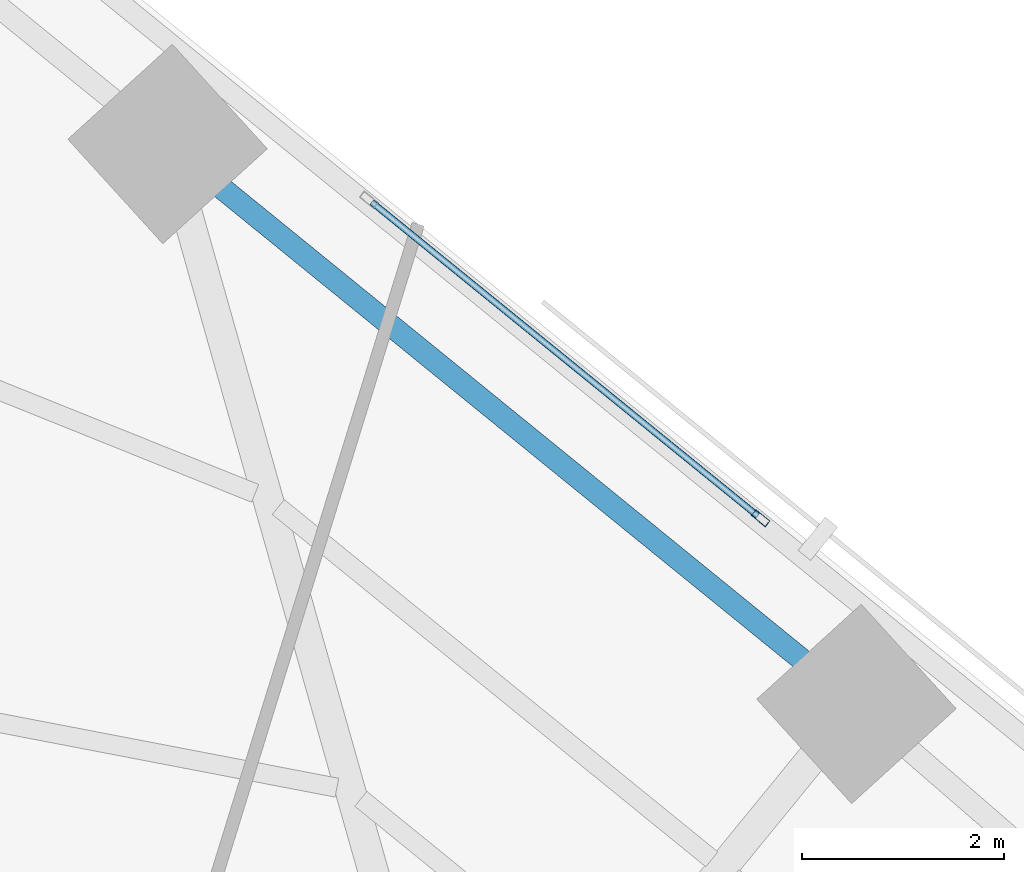
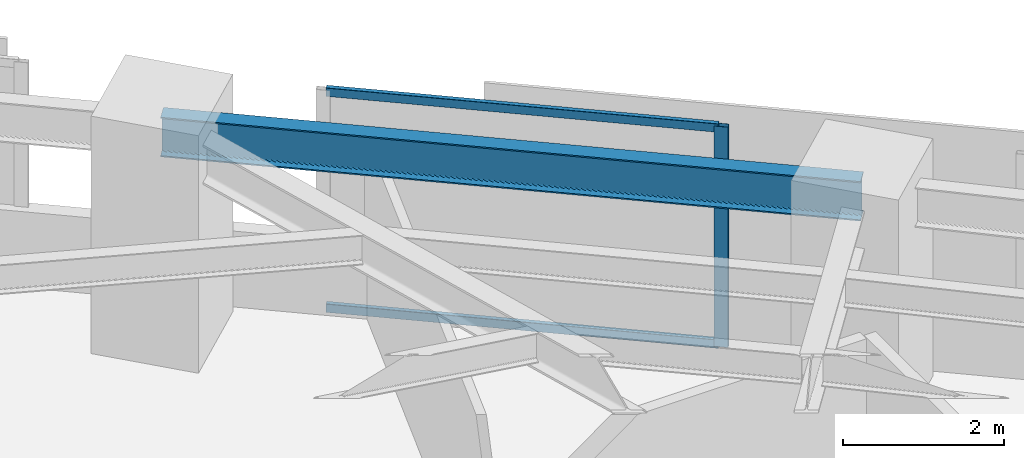
# One storey, part 11 of 18: 3 members, 1 beam, 1 element without a shape of its own.
"""IFC4 building model written with IfcOpenShell, lengths in metres."""

from ifc_helpers import new_model, si_unit, direction, frame, origin, origin_2d, place, context, subcontext, project, spatial, hollow_rectangle, i_section, extrude, material, material_profile, profile_set, type_object, element, aggregate, save


model = new_model("IFC4")

# Units and contexts
model_context = context("Model", 3, precision=1e-05, world=origin(), true_north=direction((0.0, 1.0)))
body_context = subcontext(model_context, "Body", "Model", "MODEL_VIEW")
ifc_project = project(units=[si_unit("LENGTHUNIT", "METRE"), si_unit("AREAUNIT", "SQUARE_METRE"), si_unit("VOLUMEUNIT", "CUBIC_METRE"), si_unit("PLANEANGLEUNIT", "RADIAN"), si_unit("MASSUNIT", "GRAM", prefix="KILO")], contexts=[model_context])

# Site, building, storey
site_placement = place(None, origin())
site = spatial("IfcSite", under=ifc_project, at=site_placement, CompositionType="ELEMENT")
building_placement = place(site_placement, origin())
building = spatial("IfcBuilding", under=site, at=building_placement, Name="Narakoshi Arena Tower", CompositionType="ELEMENT")
storey_placement = place(building_placement, frame((0.0, 0.0, 44.699951171875)))
storey = spatial("IfcBuildingStorey", under=building, at=storey_placement, Name="L11", CompositionType="ELEMENT", Elevation=44.699951171875)

# Beam
ifc_material_1 = material(Name="Structural steel S355J2", Category="steel")
ifc_material_profile_1 = material_profile(ifc_material_1, i_section(OverallWidth=0.219970703125, OverallDepth=0.60009765625, WebThickness=0.011962890625, FlangeThickness=0.01904296875, FilletRadius=0.02392578125, at=origin_2d()), Name="IPE600")
ifc_profile_set_1 = profile_set([ifc_material_profile_1], Name="Structural steel S355J2")
beam_type = type_object("IfcBeamType", Name="BM-EDGE-600", PredefinedType="BEAM", material=ifc_profile_set_1)
beam_placement = place(storey_placement, frame((89.459716796875, 61.28515625, 3.0400390625), z_axis=(-0.776011365227, 0.630718923958, 0.0), x_axis=(-0.630718923958, -0.776011365227, 0.0)))
element("IfcBeam", 1, at=beam_placement, inside=storey, type_object=beam_type, Name="L11 Perimeter Edge Girder 09", PredefinedType="BEAM", context=body_context, shape_type="SweptSolid", body=[
    extrude(i_section(OverallWidth=0.219970703125, OverallDepth=0.60009765625, WebThickness=0.011962890625, FlangeThickness=0.01904296875, FilletRadius=0.02392578125, at=origin_2d()), origin(), (0.0, 0.0, 1.0), 8.804931640625),
])

# Curtain wall, members
ifc_material_2 = material(Name="Anodised bronze aluminium 6063-T6", Category="aluminium")
curtain_wall_type = type_object("IfcCurtainWallType", Name="CW-HYP-LOW", PredefinedType="NOTDEFINED", material=ifc_material_2)
curtain_wall_placement = place(storey_placement, origin())
curtain_wall = element("IfcCurtainWall", 2, at=curtain_wall_placement, inside=storey, type_object=curtain_wall_type, Name="L11 Folded Hypotenuse Curtain Wall 2-2", PredefinedType="NOTDEFINED")
ifc_material_profile_2 = material_profile(ifc_material_2, hollow_rectangle(XDim=0.074951171875, YDim=0.179931640625, WallThickness=0.00390625, OuterFilletRadius=0.0048828125, at=origin_2d()), Name="MUL180x75x4")
ifc_profile_set_2 = profile_set([ifc_material_profile_2], Name="Anodised bronze aluminium 6063-T6")
member_type_1 = type_object("IfcMemberType", Name="MEM-MUL-180", PredefinedType="MULLION", material=ifc_profile_set_2)
member_1_placement = place(storey_placement, frame((88.509521484375, 63.126953125, 0.0), z_axis=(0.0, 0.0, 1.0), x_axis=(-0.630734833051, -0.775998434519, 0.0)))
member_1 = element("IfcMember", 3, at=member_1_placement, type_object=member_type_1, Name="CW-01 mullion 1", PredefinedType="MULLION", context=body_context, shape_type="SweptSolid", body=[
    extrude(hollow_rectangle(XDim=0.074951171875, YDim=0.179931640625, WallThickness=0.00390625, OuterFilletRadius=0.0048828125, at=origin_2d()), origin(), (0.0, 0.0, 1.0), 3.340087890625),
])
ifc_material_profile_3 = material_profile(ifc_material_2, hollow_rectangle(XDim=0.06494140625, YDim=0.1298828125, WallThickness=0.00390625, OuterFilletRadius=0.0048828125, at=origin_2d()), Name="TRN130x65x4")
ifc_profile_set_3 = profile_set([ifc_material_profile_3], Name="Anodised bronze aluminium 6063-T6")
member_type_2 = type_object("IfcMemberType", Name="MEM-TRN-130", PredefinedType="USERDEFINED", material=ifc_profile_set_3)
member_2_placement = place(storey_placement, frame((88.48046875, 63.150634765625, 0.032470703125), z_axis=(-0.776001951686, 0.630730505826, 0.0), x_axis=(-0.630730505826, -0.776001951686, 0.0)))
member_2 = element("IfcMember", 4, at=member_2_placement, type_object=member_type_2, Name="CW-01 transom 1.1", ObjectType="TRANSOM", PredefinedType="USERDEFINED", context=body_context, shape_type="SweptSolid", body=[
    extrude(hollow_rectangle(XDim=0.06494140625, YDim=0.1298828125, WallThickness=0.00390625, OuterFilletRadius=0.0048828125, at=origin_2d()), origin(), (0.0, 0.0, 1.0), 4.9326171875),
])
member_3_placement = place(storey_placement, frame((88.48046875, 63.150634765625, 3.3076171875), z_axis=(-0.776001951686, 0.630730505826, 0.0), x_axis=(-0.630730505826, -0.776001951686, 0.0)))
member_3 = element("IfcMember", 5, at=member_3_placement, type_object=member_type_2, Name="CW-01 transom 1.2", ObjectType="TRANSOM", PredefinedType="USERDEFINED", context=body_context, shape_type="SweptSolid", body=[
    extrude(hollow_rectangle(XDim=0.06494140625, YDim=0.1298828125, WallThickness=0.00390625, OuterFilletRadius=0.0048828125, at=origin_2d()), origin(), (0.0, 0.0, 1.0), 4.9326171875),
])
aggregate(curtain_wall, [member_1, member_2, member_3])

save(model, "model.ifc")
